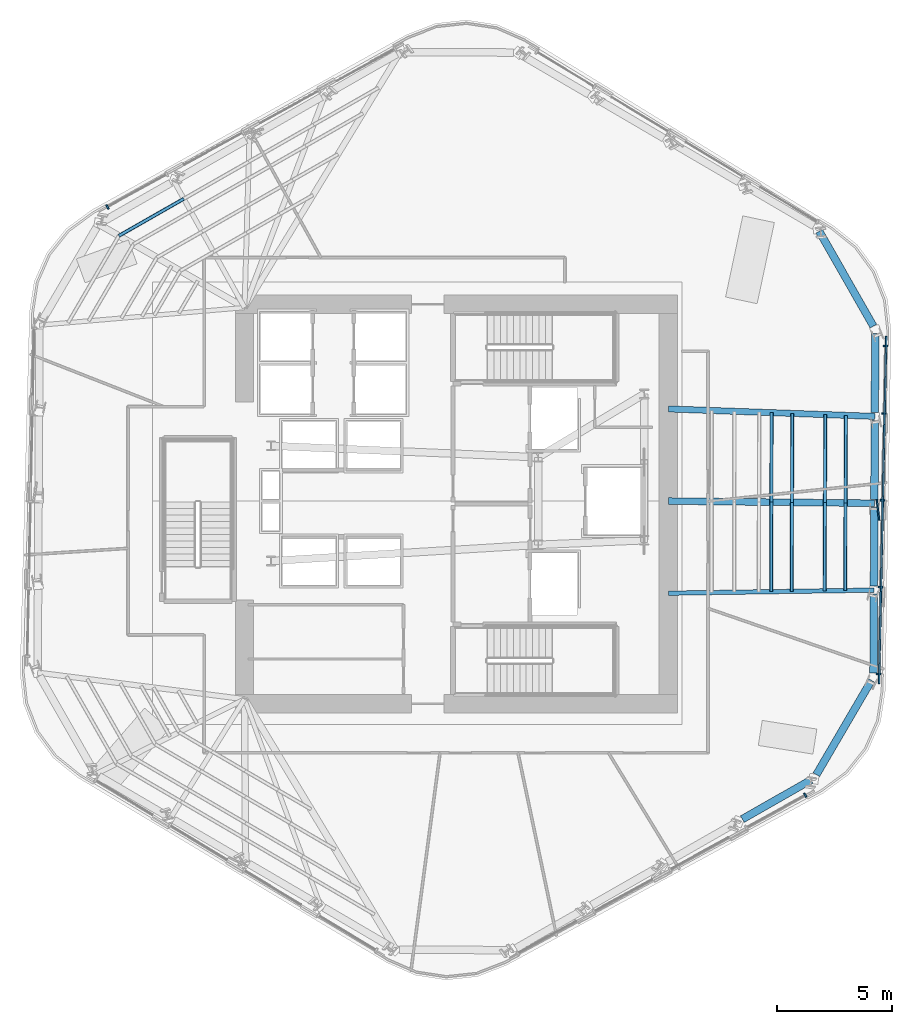
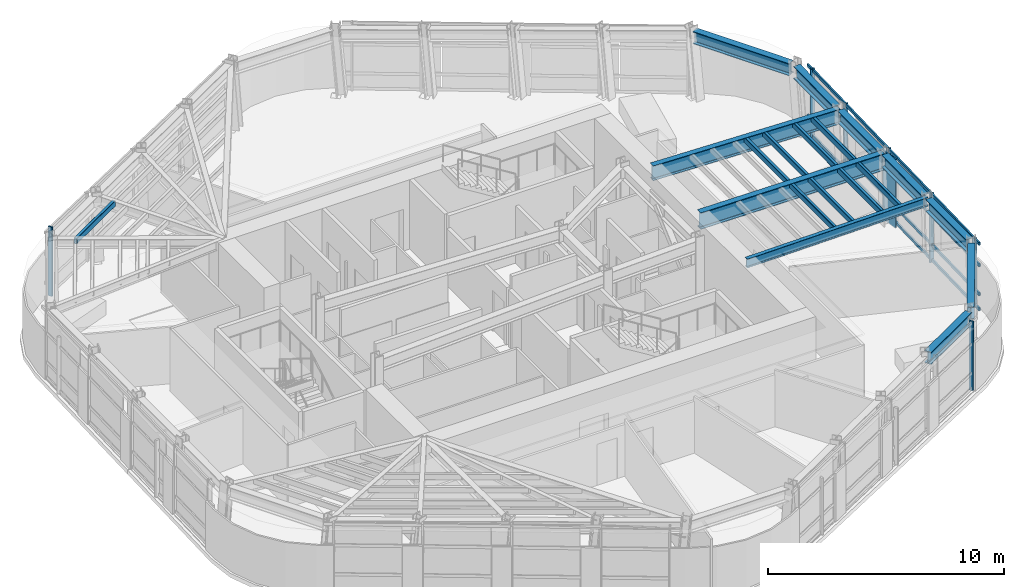
# One storey, part 4 of 14: 21 members, 10 beams, 3 elements without a shape of their own.
"""IFC4 building model written with IfcOpenShell, lengths in metres."""

from ifc_helpers import new_model, si_unit, direction, frame, origin, origin_2d, place, context, subcontext, project, spatial, rectangle, hollow_rectangle, i_section, extrude, material, layer, layer_set, material_profile, profile_set, type_object, element, aggregate, save


model = new_model("IFC4")

# Units and contexts
model_context = context("Model", 3, precision=1e-05, world=origin(), true_north=direction((0.0, 1.0)))
body_context = subcontext(model_context, "Body", "Model", "MODEL_VIEW")
ifc_project = project(units=[si_unit("LENGTHUNIT", "METRE"), si_unit("AREAUNIT", "SQUARE_METRE"), si_unit("VOLUMEUNIT", "CUBIC_METRE"), si_unit("PLANEANGLEUNIT", "RADIAN"), si_unit("MASSUNIT", "GRAM", prefix="KILO")], contexts=[model_context])

# Site, building, storey
site_placement = place(None, origin())
site = spatial("IfcSite", under=ifc_project, at=site_placement, CompositionType="ELEMENT")
building_placement = place(site_placement, origin())
building = spatial("IfcBuilding", under=site, at=building_placement, Name="Valkerne Bourse Tower", CompositionType="ELEMENT")
storey_placement = place(building_placement, frame((0.0, 0.0, 147.60009765625)))
storey = spatial("IfcBuildingStorey", under=building, at=storey_placement, Name="L37", CompositionType="ELEMENT", Elevation=147.60009765625)

# Beams
ifc_material_1 = material(Name="Steel ASTM A992", Category="steel")
ifc_material_profile_1 = material_profile(ifc_material_1, i_section(OverallWidth=0.1904296875, OverallDepth=0.457275390625, WebThickness=0.009033203125, FlangeThickness=0.014404296875, FilletRadius=0.01513671875, at=origin_2d()), Name="W18X50")
ifc_profile_set_1 = profile_set([ifc_material_profile_1], Name="Steel ASTM A992")
beam_type_1 = type_object("IfcBeamType", Name="BM-W18X50", PredefinedType="JOIST", material=ifc_profile_set_1)
beam_1_placement = place(storey_placement, frame((64.923095703125, 23.134033203125, 3.351318359375), z_axis=(-0.999887204906, -0.015019236518, 0.0), x_axis=(0.015019236518, -0.999887204906, 0.0)))
element("IfcBeam", 1, at=beam_1_placement, inside=storey, type_object=beam_type_1, Name="L37 Radial Composite Floor Beam 26", PredefinedType="JOIST", context=body_context, shape_type="SweptSolid", body=[
    extrude(i_section(OverallWidth=0.1904296875, OverallDepth=0.457275390625, WebThickness=0.009033203125, FlangeThickness=0.014404296875, FilletRadius=0.01513671875, at=origin_2d()), origin(), (0.0, 0.0, 1.0), 8.924072265625),
])
ifc_material_profile_2 = material_profile(ifc_material_1, i_section(OverallWidth=0.32763671875, OverallDepth=0.62744140625, WebThickness=0.0166015625, FlangeThickness=0.027587890625, FilletRadius=0.020263671875, at=origin_2d()), Name="W24X146")
ifc_profile_set_2 = profile_set([ifc_material_profile_2], Name="Steel ASTM A992")
beam_type_2 = type_object("IfcBeamType", Name="BM-W24X146", PredefinedType="SPANDREL", material=ifc_profile_set_2)
beam_2_placement = place(storey_placement, frame((59.21240234375, 13.19287109375, 3.26611328125), z_axis=(0.868623854331, 0.495472097789, 0.0), x_axis=(-0.495472097789, 0.868623854331, 0.0)))
element("IfcBeam", 2, at=beam_2_placement, inside=storey, type_object=beam_type_2, Name="L37 Hexagonal Spandrel Ring Beam 23", PredefinedType="SPANDREL", context=body_context, shape_type="SweptSolid", body=[
    extrude(i_section(OverallWidth=0.32763671875, OverallDepth=0.62744140625, WebThickness=0.0166015625, FlangeThickness=0.027587890625, FilletRadius=0.020263671875, at=origin_2d()), origin(), (0.0, 0.0, 1.0), 3.430908203125),
])
beam_3_placement = place(storey_placement, frame((62.42626953125, 15.123779296875, 3.26611328125), z_axis=(0.504508183791, 0.863406910146, 0.0), x_axis=(-0.863406910146, 0.504508183791, 0.0)))
element("IfcBeam", 3, at=beam_3_placement, inside=storey, type_object=beam_type_2, Name="L37 Hexagonal Spandrel Ring Beam 24", PredefinedType="SPANDREL", context=body_context, shape_type="SweptSolid", body=[
    extrude(i_section(OverallWidth=0.32763671875, OverallDepth=0.62744140625, WebThickness=0.0166015625, FlangeThickness=0.027587890625, FilletRadius=0.020263671875, at=origin_2d()), origin(), (0.0, 0.0, 1.0), 4.739990234375),
])
for number, where, z_axis, x_axis, name in (
    (4, (64.904296875, 19.533203125, 3.26611328125), (0.005265706544, 0.999986136071, 0.0), (-0.999986136071, 0.005265706544, 0.0), "L37 Hexagonal Spandrel Ring Beam 25"),
    (5, (64.924072265625, 23.30419921875, 3.26611328125), (0.005265706544, 0.999986136071, 0.0), (-0.999986136071, 0.005265706544, 0.0), "L37 Hexagonal Spandrel Ring Beam 26"),
):
    element("IfcBeam", number, at=place(storey_placement, frame(where, z_axis=z_axis, x_axis=x_axis)), inside=storey, type_object=beam_type_2, Name=name, PredefinedType="SPANDREL", context=body_context, shape_type="SweptSolid", body=[
        extrude(i_section(OverallWidth=0.32763671875, OverallDepth=0.62744140625, WebThickness=0.0166015625, FlangeThickness=0.027587890625, FilletRadius=0.020263671875, at=origin_2d()), origin(), (0.0, 0.0, 1.0), 3.430908203125),
    ])
beam_4_placement = place(storey_placement, frame((64.94384765625, 27.074951171875, 3.26611328125), z_axis=(0.005265331878, 0.999986138044, 0.0), x_axis=(-0.999986138044, 0.005265331878, 0.0)))
element("IfcBeam", 6, at=beam_4_placement, inside=storey, type_object=beam_type_2, Name="L37 Hexagonal Spandrel Ring Beam 27", PredefinedType="SPANDREL", context=body_context, shape_type="SweptSolid", body=[
    extrude(i_section(OverallWidth=0.32763671875, OverallDepth=0.62744140625, WebThickness=0.0166015625, FlangeThickness=0.027587890625, FilletRadius=0.020263671875, at=origin_2d()), origin(), (0.0, 0.0, 1.0), 3.43115234375),
])
beam_5_placement = place(storey_placement, frame((64.963623046875, 30.845947265625, 3.26611328125), z_axis=(0.005265706544, 0.999986136071, 0.0), x_axis=(-0.999986136071, 0.005265706544, 0.0)))
element("IfcBeam", 7, at=beam_5_placement, inside=storey, type_object=beam_type_2, Name="L37 Hexagonal Spandrel Ring Beam 28", PredefinedType="SPANDREL", context=body_context, shape_type="SweptSolid", body=[
    extrude(i_section(OverallWidth=0.32763671875, OverallDepth=0.62744140625, WebThickness=0.0166015625, FlangeThickness=0.027587890625, FilletRadius=0.020263671875, at=origin_2d()), origin(), (0.0, 0.0, 1.0), 3.430908203125),
])
beam_6_placement = place(storey_placement, frame((64.898193359375, 34.594482421875, 3.26611328125), z_axis=(-0.495434334132, 0.868645394026, 0.0), x_axis=(-0.868645394026, -0.495434334132, 0.0)))
element("IfcBeam", 8, at=beam_6_placement, inside=storey, type_object=beam_type_2, Name="L37 Hexagonal Spandrel Ring Beam 29", PredefinedType="SPANDREL", context=body_context, shape_type="SweptSolid", body=[
    extrude(i_section(OverallWidth=0.32763671875, OverallDepth=0.62744140625, WebThickness=0.0166015625, FlangeThickness=0.027587890625, FilletRadius=0.020263671875, at=origin_2d()), origin(), (0.0, 0.0, 1.0), 4.739990234375),
])
ifc_material_profile_3 = material_profile(ifc_material_1, i_section(OverallWidth=0.26806640625, OverallDepth=0.76953125, WebThickness=0.015625, FlangeThickness=0.025390625, FilletRadius=0.025390625, at=origin_2d()), Name="W30X132")
ifc_profile_set_3 = profile_set([ifc_material_profile_3], Name="Steel ASTM A992")
beam_type_3 = type_object("IfcBeamType", Name="BM-W30X132", PredefinedType="BEAM", material=ifc_profile_set_3)
beam_7_placement = place(storey_placement, frame((64.962646484375, 30.676025390625, 3.195068359375), z_axis=(-0.999347329352, 0.036123611616, 0.0), x_axis=(-0.036123611616, -0.999347329352, 0.0)))
element("IfcBeam", 9, at=beam_7_placement, inside=storey, type_object=beam_type_3, Name="L37 Radial Composite Floor Beam 28", PredefinedType="BEAM", context=body_context, shape_type="SweptSolid", body=[
    extrude(i_section(OverallWidth=0.26806640625, OverallDepth=0.76953125, WebThickness=0.015625, FlangeThickness=0.025390625, FilletRadius=0.025390625, at=origin_2d()), origin(), (0.0, 0.0, 1.0), 8.968505859375),
])
ifc_material_profile_4 = material_profile(ifc_material_1, i_section(OverallWidth=0.2919921875, OverallDepth=0.8583984375, WebThickness=0.01708984375, FlangeThickness=0.031005859375, FilletRadius=0.025390625, at=origin_2d()), Name="W33X169")
ifc_profile_set_4 = profile_set([ifc_material_profile_4], Name="Steel ASTM A992")
beam_type_4 = type_object("IfcBeamType", Name="BM-W33X169", PredefinedType="BEAM", material=ifc_profile_set_4)
beam_8_placement = place(storey_placement, frame((64.943115234375, 26.905029296875, 3.150634765625), z_axis=(-0.999943618721, 0.010618821973, 0.0), x_axis=(-0.010618821973, -0.999943618721, 0.0)))
element("IfcBeam", 10, at=beam_8_placement, inside=storey, type_object=beam_type_4, Name="L37 Radial Composite Floor Beam 27", PredefinedType="BEAM", context=body_context, shape_type="SweptSolid", body=[
    extrude(i_section(OverallWidth=0.2919921875, OverallDepth=0.8583984375, WebThickness=0.01708984375, FlangeThickness=0.031005859375, FilletRadius=0.025390625, at=origin_2d()), origin(), (0.0, 0.0, 1.0), 8.943603515625),
])

# Curtain wall, member
ifc_material_2 = material(Name="Aluminium AA 6063-T6", Category="aluminium")
ifc_layer = layer(ifc_material_2, 0.235107421875)
ifc_layer_set = layer_set([ifc_layer], Name="Aluminium AA 6063-T6")
curtain_wall_type = type_object("IfcCurtainWallType", Name="CW-03", PredefinedType="NOTDEFINED", material=ifc_layer_set)
curtain_wall_1_placement = place(storey_placement, origin())
curtain_wall_1 = element("IfcCurtainWall", 11, at=curtain_wall_1_placement, inside=storey, type_object=curtain_wall_type, Name="L37 Hexagonal Stick Curtain Wall Face 2", PredefinedType="NOTDEFINED")
ifc_material_profile_5 = material_profile(ifc_material_2, rectangle(XDim=0.074951171875, YDim=0.199951171875, at=origin_2d()), Name="CWM-75X200")
ifc_profile_set_5 = profile_set([ifc_material_profile_5], Name="Aluminium AA 6063-T6")
member_type_1 = type_object("IfcMemberType", Name="CW-MUL-220X75", PredefinedType="MULLION", material=ifc_profile_set_5)
member_1_placement = place(storey_placement, frame((31.654541015625, 39.765869140625, 0.0), z_axis=(0.0, 0.0, 1.0), x_axis=(-0.876308832094, -0.481749759516, 0.0)))
member_1 = element("IfcMember", 12, at=member_1_placement, type_object=member_type_1, Name="CW-L37-F2 Jamb Mullion 03B", PredefinedType="MULLION", context=body_context, shape_type="SweptSolid", body=[
    extrude(rectangle(XDim=0.074951171875, YDim=0.199951171875, at=origin_2d()), origin(), (0.0, 0.0, 1.0), 3.579833984375),
])
aggregate(curtain_wall_1, [member_1])

curtain_wall_2_placement = place(storey_placement, origin())
curtain_wall_2 = element("IfcCurtainWall", 13, at=curtain_wall_2_placement, inside=storey, type_object=curtain_wall_type, Name="L37 Hexagonal Stick Curtain Wall Face 5", PredefinedType="NOTDEFINED")
member_2_placement = place(storey_placement, frame((61.9453125, 14.234130859375, 0.0), z_axis=(0.0, 0.0, 1.0), x_axis=(0.876308832094, 0.481749759516, 0.0)))
member_2 = element("IfcMember", 14, at=member_2_placement, type_object=member_type_1, Name="CW-L37-F5 Jamb Mullion 03B", PredefinedType="MULLION", context=body_context, shape_type="SweptSolid", body=[
    extrude(rectangle(XDim=0.074951171875, YDim=0.199951171875, at=origin_2d()), origin(), (0.0, 0.0, 1.0), 3.579833984375),
])
aggregate(curtain_wall_2, [member_2])

# Curtain wall, members
curtain_wall_3_placement = place(storey_placement, origin())
curtain_wall_3 = element("IfcCurtainWall", 15, at=curtain_wall_3_placement, inside=storey, type_object=curtain_wall_type, Name="L37 Hexagonal Stick Curtain Wall Face 6", PredefinedType="NOTDEFINED")
member_3_placement = place(storey_placement, frame((65.1298828125, 19.492431640625, 0.0), z_axis=(0.0, 0.0, 1.0), x_axis=(0.020949197063, 0.99978054149, 0.0)))
member_3 = element("IfcMember", 16, at=member_3_placement, type_object=member_type_1, Name="CW-L37-F6 Jamb Mullion 00A", PredefinedType="MULLION", context=body_context, shape_type="SweptSolid", body=[
    extrude(rectangle(XDim=0.074951171875, YDim=0.199951171875, at=origin_2d()), origin(), (0.0, 0.0, 1.0), 3.579833984375),
])
member_4_placement = place(storey_placement, frame((65.208984375, 23.2626953125, 0.0), z_axis=(0.0, 0.0, 1.0), x_axis=(0.020949752497, 0.999780529852, 0.0)))
member_4 = element("IfcMember", 17, at=member_4_placement, type_object=member_type_1, Name="CW-L37-F6 Jamb Mullion 01A", PredefinedType="MULLION", context=body_context, shape_type="SweptSolid", body=[
    extrude(rectangle(XDim=0.074951171875, YDim=0.199951171875, at=origin_2d()), origin(), (0.0, 0.0, 1.0), 3.579833984375),
])
member_5_placement = place(storey_placement, frame((65.2880859375, 27.03271484375, 0.0), z_axis=(0.0, 0.0, 1.0), x_axis=(0.020922690712, 0.999781096547, 0.0)))
member_5 = element("IfcMember", 18, at=member_5_placement, type_object=member_type_1, Name="CW-L37-F6 Jamb Mullion 02A", PredefinedType="MULLION", context=body_context, shape_type="SweptSolid", body=[
    extrude(rectangle(XDim=0.074951171875, YDim=0.199951171875, at=origin_2d()), origin(), (0.0, 0.0, 1.0), 3.579833984375),
])
member_6_placement = place(storey_placement, frame((65.366943359375, 30.802978515625, 0.0), z_axis=(0.0, 0.0, 1.0), x_axis=(0.020949197063, 0.99978054149, 0.0)))
member_6 = element("IfcMember", 19, at=member_6_placement, type_object=member_type_1, Name="CW-L37-F6 Jamb Mullion 03A", PredefinedType="MULLION", context=body_context, shape_type="SweptSolid", body=[
    extrude(rectangle(XDim=0.074951171875, YDim=0.199951171875, at=origin_2d()), origin(), (0.0, 0.0, 1.0), 3.579833984375),
])
member_7_placement = place(storey_placement, frame((65.42822265625, 33.7333984375, 0.0), z_axis=(0.0, 0.0, 1.0), x_axis=(0.020949197063, 0.99978054149, 0.0)))
member_7 = element("IfcMember", 20, at=member_7_placement, type_object=member_type_1, Name="CW-L37-F6 Jamb Mullion 03B", PredefinedType="MULLION", context=body_context, shape_type="SweptSolid", body=[
    extrude(rectangle(XDim=0.074951171875, YDim=0.199951171875, at=origin_2d()), origin(), (0.0, 0.0, 1.0), 3.579833984375),
])
ifc_material_profile_6 = material_profile(ifc_material_2, rectangle(XDim=0.074951171875, YDim=0.14990234375, at=origin_2d()), Name="CWT-75X150")
ifc_profile_set_6 = profile_set([ifc_material_profile_6], Name="Aluminium AA 6063-T6")
member_type_2 = type_object("IfcMemberType", Name="CW-TRN-180X65", PredefinedType="USERDEFINED", material=ifc_profile_set_6)
member_8_placement = place(storey_placement, frame((65.14111328125, 19.072265625, 0.119873046875), z_axis=(0.020944085467, 0.999780648584, 0.0), x_axis=(-0.999780648584, 0.020944085467, 0.0)))
member_8 = element("IfcMember", 21, at=member_8_placement, type_object=member_type_2, Name="CW-L37-F6 Continuous Face Transom 1", ObjectType="TRANSOM", PredefinedType="USERDEFINED", context=body_context, shape_type="SweptSolid", body=[
    extrude(rectangle(XDim=0.074951171875, YDim=0.14990234375, at=origin_2d()), origin(), (0.0, 0.0, 1.0), 15.083984375),
])
member_9_placement = place(storey_placement, frame((65.14111328125, 19.072265625, 0.89990234375), z_axis=(0.020944085467, 0.999780648584, 0.0), x_axis=(-0.999780648584, 0.020944085467, 0.0)))
member_9 = element("IfcMember", 22, at=member_9_placement, type_object=member_type_2, Name="CW-L37-F6 Continuous Face Transom 2", ObjectType="TRANSOM", PredefinedType="USERDEFINED", context=body_context, shape_type="SweptSolid", body=[
    extrude(rectangle(XDim=0.074951171875, YDim=0.14990234375, at=origin_2d()), origin(), (0.0, 0.0, 1.0), 15.083984375),
])
member_10_placement = place(storey_placement, frame((65.14111328125, 19.072265625, 2.39990234375), z_axis=(0.020944085467, 0.999780648584, 0.0), x_axis=(-0.999780648584, 0.020944085467, 0.0)))
member_10 = element("IfcMember", 23, at=member_10_placement, type_object=member_type_2, Name="CW-L37-F6 Continuous Face Transom 3", ObjectType="TRANSOM", PredefinedType="USERDEFINED", context=body_context, shape_type="SweptSolid", body=[
    extrude(rectangle(XDim=0.074951171875, YDim=0.14990234375, at=origin_2d()), origin(), (0.0, 0.0, 1.0), 15.083984375),
])
member_11_placement = place(storey_placement, frame((65.14111328125, 19.072265625, 3.5), z_axis=(0.020944085467, 0.999780648584, 0.0), x_axis=(-0.999780648584, 0.020944085467, 0.0)))
member_11 = element("IfcMember", 24, at=member_11_placement, type_object=member_type_2, Name="CW-L37-F6 Continuous Face Transom 4", ObjectType="TRANSOM", PredefinedType="USERDEFINED", context=body_context, shape_type="SweptSolid", body=[
    extrude(rectangle(XDim=0.074951171875, YDim=0.14990234375, at=origin_2d()), origin(), (0.0, 0.0, 1.0), 15.083984375),
])
aggregate(curtain_wall_3, [member_8, member_9, member_10, member_11, member_3, member_4, member_5, member_6, member_7])

# Members
ifc_material_3 = material(Name="Bronze Anodised Aluminium AA 6063-T6", Category="aluminium")
ifc_material_profile_7 = material_profile(ifc_material_3, rectangle(XDim=0.070068359375, YDim=0.89990234375, at=origin_2d()), Name="FIN-70X900")
ifc_profile_set_7 = profile_set([ifc_material_profile_7], Name="Bronze Anodised Aluminium AA 6063-T6")
member_type_3 = type_object("IfcMemberType", Name="FIN-SOLAR-900", PredefinedType="USERDEFINED", material=ifc_profile_set_7)
member_12_placement = place(storey_placement, frame((65.099365234375, 26.61669921875, 0.00390625), z_axis=(0.0, 0.0, 1.0), x_axis=(0.992608802686, 0.121358002742, 0.0)))
element("IfcMember", 25, at=member_12_placement, inside=storey, type_object=member_type_3, Name="L37 Bronze Anodised Solar Fin F6-02", ObjectType="SOLAR_FIN", PredefinedType="USERDEFINED", context=body_context, shape_type="SweptSolid", body=[
    extrude(rectangle(XDim=0.070068359375, YDim=0.89990234375, at=origin_2d()), origin(), (0.0, 0.0, 1.0), 3.572021484375),
])
ifc_material_4 = material(Name="Steel ASTM A500 Grade C", Category="steel")
ifc_material_profile_8 = material_profile(ifc_material_4, hollow_rectangle(XDim=0.14990234375, YDim=0.300048828125, WallThickness=0.012451171875, OuterFilletRadius=0.02490234375, at=origin_2d()), Name="HSS300X150X12.5")
ifc_profile_set_8 = profile_set([ifc_material_profile_8], Name="Steel ASTM A500 Grade C")
member_type_4 = type_object("IfcMemberType", Name="MBR-HSS300X150X12.5", PredefinedType="PURLIN", material=ifc_profile_set_8)
member_13_placement = place(storey_placement, frame((60.461669921875, 23.067138671875, 3.419921875), z_axis=(0.002513502177, 0.999996841148, 0.0), x_axis=(-0.999996841148, 0.002513502177, 0.0)))
element("IfcMember", 26, at=member_13_placement, inside=storey, type_object=member_type_4, Name="L37 Secondary Composite Floor Purlin M-26", PredefinedType="PURLIN", context=body_context, shape_type="SweptSolid", body=[
    extrude(hollow_rectangle(XDim=0.14990234375, YDim=0.300048828125, WallThickness=0.012451171875, OuterFilletRadius=0.02490234375, at=origin_2d()), origin(), (0.0, 0.0, 1.0), 3.88525390625),
])
member_14_placement = place(storey_placement, frame((60.471435546875, 26.952392578125, 3.419921875), z_axis=(0.002513344245, 0.999996841545, 0.0), x_axis=(-0.999996841545, 0.002513344245, 0.0)))
element("IfcMember", 27, at=member_14_placement, inside=storey, type_object=member_type_4, Name="L37 Secondary Composite Floor Purlin M-27", PredefinedType="PURLIN", context=body_context, shape_type="SweptSolid", body=[
    extrude(hollow_rectangle(XDim=0.14990234375, YDim=0.300048828125, WallThickness=0.012451171875, OuterFilletRadius=0.02490234375, at=origin_2d()), origin(), (0.0, 0.0, 1.0), 3.885498046875),
])
member_15_placement = place(storey_placement, frame((62.781494140625, 23.101806640625, 3.419921875), z_axis=(0.003956321535, 0.999992173729, 0.0), x_axis=(-0.999992173729, 0.003956321535, 0.0)))
element("IfcMember", 28, at=member_15_placement, inside=storey, type_object=member_type_4, Name="L37 Secondary Composite Floor Purlin O-26", PredefinedType="PURLIN", context=body_context, shape_type="SweptSolid", body=[
    extrude(hollow_rectangle(XDim=0.14990234375, YDim=0.300048828125, WallThickness=0.012451171875, OuterFilletRadius=0.02490234375, at=origin_2d()), origin(), (0.0, 0.0, 1.0), 3.825927734375),
])
member_16_placement = place(storey_placement, frame((62.796630859375, 26.927734375, 3.419921875), z_axis=(0.003956069093, 0.999992174728, 0.0), x_axis=(-0.999992174728, 0.003956069093, 0.0)))
element("IfcMember", 29, at=member_16_placement, inside=storey, type_object=member_type_4, Name="L37 Secondary Composite Floor Purlin O-27", PredefinedType="PURLIN", context=body_context, shape_type="SweptSolid", body=[
    extrude(hollow_rectangle(XDim=0.14990234375, YDim=0.300048828125, WallThickness=0.012451171875, OuterFilletRadius=0.02490234375, at=origin_2d()), origin(), (0.0, 0.0, 1.0), 3.826171875),
])
for number, where, z_axis, x_axis, name in (
    (30, (61.35400390625, 23.08056640625, 3.419921875), (0.003033928265, 0.999995397629, 0.0), (-0.999995397629, 0.003033928265, 0.0), "L37 Secondary Composite Floor Purlin Z-26"),
    (31, (61.36572265625, 26.943115234375, 3.419921875), (0.003097134504, 0.999995203867, 0.0), (-0.999995203867, 0.003097134504, 0.0), "L37 Secondary Composite Floor Purlin Z-27"),
):
    element("IfcMember", number, at=place(storey_placement, frame(where, z_axis=z_axis, x_axis=x_axis)), inside=storey, type_object=member_type_4, Name=name, PredefinedType="PURLIN", context=body_context, shape_type="SweptSolid", body=[
        extrude(hollow_rectangle(XDim=0.14990234375, YDim=0.300048828125, WallThickness=0.012451171875, OuterFilletRadius=0.02490234375, at=origin_2d()), origin(), (0.0, 0.0, 1.0), 3.862548828125),
    ])
member_17_placement = place(storey_placement, frame((34.96435546875, 40.12255859375, 3.419921875), z_axis=(-0.868655144722, -0.495417237838, 0.0), x_axis=(0.495417237838, -0.868655144722, 0.0)))
element("IfcMember", 32, at=member_17_placement, inside=storey, type_object=member_type_4, Name="L37 Secondary Composite Floor Purlin T-08", PredefinedType="PURLIN", context=body_context, shape_type="SweptSolid", body=[
    extrude(hollow_rectangle(XDim=0.14990234375, YDim=0.300048828125, WallThickness=0.012451171875, OuterFilletRadius=0.02490234375, at=origin_2d()), origin(), (0.0, 0.0, 1.0), 3.2431640625),
])
member_18_placement = place(storey_placement, frame((63.674072265625, 23.115234375, 3.419921875), z_axis=(0.004429564298, 0.999990189432, 0.0), x_axis=(-0.999990189432, 0.004429564298, 0.0)))
element("IfcMember", 33, at=member_18_placement, inside=storey, type_object=member_type_4, Name="L37 Secondary Composite Floor Purlin T-26", PredefinedType="PURLIN", context=body_context, shape_type="SweptSolid", body=[
    extrude(hollow_rectangle(XDim=0.14990234375, YDim=0.300048828125, WallThickness=0.012451171875, OuterFilletRadius=0.02490234375, at=origin_2d()), origin(), (0.0, 0.0, 1.0), 3.802978515625),
])
member_19_placement = place(storey_placement, frame((63.69091796875, 26.918212890625, 3.419921875), z_axis=(0.004493471132, 0.999989904308, 0.0), x_axis=(-0.999989904308, 0.004493471132, 0.0)))
element("IfcMember", 34, at=member_19_placement, inside=storey, type_object=member_type_4, Name="L37 Secondary Composite Floor Purlin T-27", PredefinedType="PURLIN", context=body_context, shape_type="SweptSolid", body=[
    extrude(hollow_rectangle(XDim=0.14990234375, YDim=0.300048828125, WallThickness=0.012451171875, OuterFilletRadius=0.02490234375, at=origin_2d()), origin(), (0.0, 0.0, 1.0), 3.80322265625),
])

save(model, "model.ifc")
